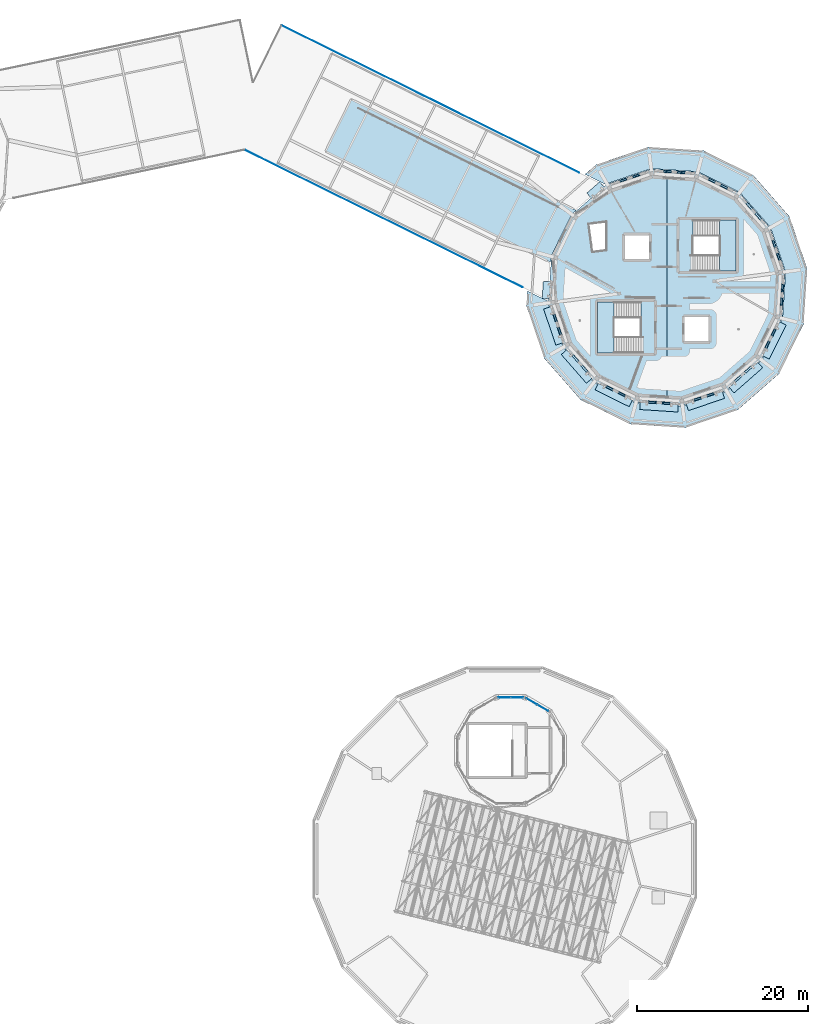
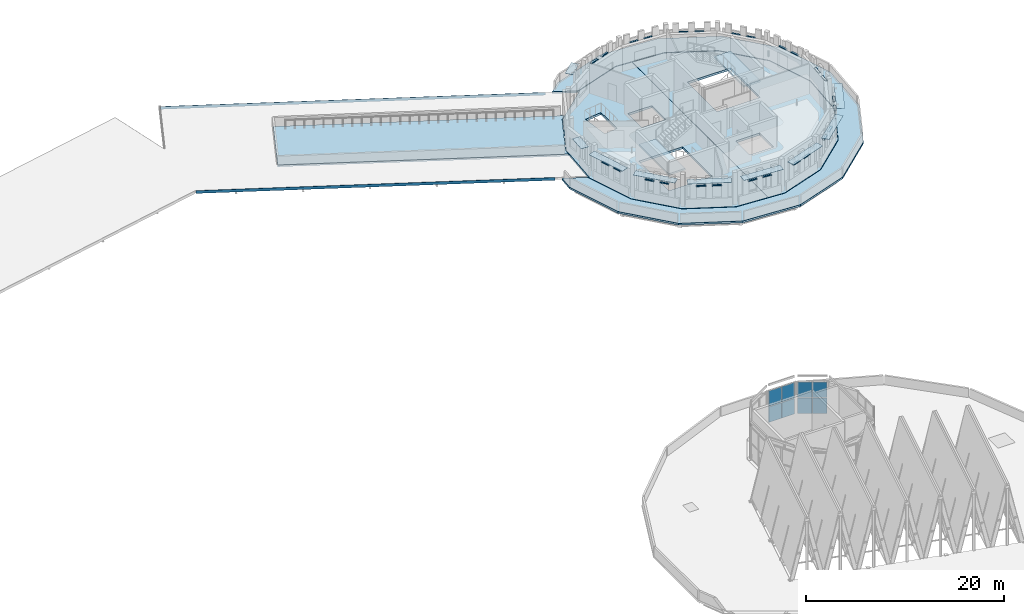
# One storey, part 21 of 51: 45 plates, 6 slabs, 4 elements without a shape of their own.
"""IFC4 building model written with IfcOpenShell, lengths in metres."""

from ifc_helpers import new_model, si_unit, direction, frame, origin, origin_2d, place, context, subcontext, project, spatial, polyline, rectangle, outline, extrude, material, layer, layer_set, type_object, element, aggregate, save


model = new_model("IFC4")

# Units and contexts
model_context = context("Model", 3, precision=1e-05, world=origin(), true_north=direction((0.0, 1.0)))
body_context = subcontext(model_context, "Body", "Model", "MODEL_VIEW")
ifc_project = project(units=[si_unit("LENGTHUNIT", "METRE"), si_unit("AREAUNIT", "SQUARE_METRE"), si_unit("VOLUMEUNIT", "CUBIC_METRE"), si_unit("PLANEANGLEUNIT", "RADIAN"), si_unit("MASSUNIT", "GRAM", prefix="KILO")], contexts=[model_context])

# Site, building, storey
site_placement = place(None, origin())
site = spatial("IfcSite", under=ifc_project, at=site_placement, CompositionType="ELEMENT")
building_placement = place(site_placement, origin())
building = spatial("IfcBuilding", under=site, at=building_placement, Name="Wrenclough Park School", CompositionType="ELEMENT")
storey_placement = place(building_placement, frame((0.0, 0.0, 16.800048828125)))
storey = spatial("IfcBuildingStorey", under=building, at=storey_placement, Name="L04", CompositionType="ELEMENT", Elevation=16.800048828125)

# Curtain wall, plates
ifc_material_1 = material(Name="Thermally broken aluminium and low-e glass curtain wall", Category="aluminium")
curtain_wall_type = type_object("IfcCurtainWallType", Name="ENV-CW-16", PredefinedType="USERDEFINED", material=ifc_material_1)
curtain_wall_1_placement = place(storey_placement, origin())
curtain_wall_1 = element("IfcCurtainWall", 1, at=curtain_wall_1_placement, inside=storey, type_object=curtain_wall_type, Name="D1-SH cylindrical white-glazed stair-head curtain wall 179", ObjectType="CURTAIN WALL", PredefinedType="USERDEFINED")
ifc_material_2 = material(Name="White ceramic-fritted translucent glass", Category="glass")
ifc_layer_1 = layer(ifc_material_2, 0.031982421875)
ifc_layer_set_1 = layer_set([ifc_layer_1], Name="White ceramic-fritted translucent glass")
plate_type_1 = type_object("IfcPlateType", Name="ENV-CWP-WH32", PredefinedType="CURTAIN_PANEL", material=ifc_layer_set_1)
plate_1_placement = place(storey_placement, frame((159.965087890625, 44.20654296875, 0.06005859375), z_axis=(0.0, 0.0, 1.0), x_axis=(-0.866023907196, 0.500002592159, 0.0)))
plate_1 = element("IfcPlate", 2, at=plate_1_placement, type_object=plate_type_1, Name="CW-16 panel 1.1", PredefinedType="CURTAIN_PANEL", context=body_context, shape_type="SweptSolid", body=[
    extrude(rectangle(XDim=1.455078125, YDim=0.031982421875, at=origin_2d()), origin(), (0.0, 0.0, 1.0), 1.909912109375),
])
plate_2_placement = place(storey_placement, frame((159.965087890625, 44.20654296875, 2.02978515625), z_axis=(0.0, 0.0, 1.0), x_axis=(-0.866023907196, 0.500002592159, 0.0)))
plate_2 = element("IfcPlate", 3, at=plate_2_placement, type_object=plate_type_1, Name="CW-16 panel 1.2", PredefinedType="CURTAIN_PANEL", context=body_context, shape_type="SweptSolid", body=[
    extrude(rectangle(XDim=1.455078125, YDim=0.031982421875, at=origin_2d()), origin(), (0.0, 0.0, 1.0), 1.909912109375),
])
plate_3_placement = place(storey_placement, frame((158.653076171875, 44.9638671875, 0.06005859375), z_axis=(0.0, 0.0, 1.0), x_axis=(-0.866023907196, 0.500002592159, 0.0)))
plate_3 = element("IfcPlate", 4, at=plate_3_placement, type_object=plate_type_1, Name="CW-16 panel 2.1", PredefinedType="CURTAIN_PANEL", context=body_context, shape_type="SweptSolid", body=[
    extrude(rectangle(XDim=1.455078125, YDim=0.031982421875, at=origin_2d()), origin(), (0.0, 0.0, 1.0), 1.909912109375),
])
plate_4_placement = place(storey_placement, frame((158.653076171875, 44.9638671875, 2.02978515625), z_axis=(0.0, 0.0, 1.0), x_axis=(-0.866023907196, 0.500002592159, 0.0)))
plate_4 = element("IfcPlate", 5, at=plate_4_placement, type_object=plate_type_1, Name="CW-16 panel 2.2", PredefinedType="CURTAIN_PANEL", context=body_context, shape_type="SweptSolid", body=[
    extrude(rectangle(XDim=1.455078125, YDim=0.031982421875, at=origin_2d()), origin(), (0.0, 0.0, 1.0), 1.909912109375),
])
aggregate(curtain_wall_1, [plate_1, plate_2, plate_3, plate_4])

curtain_wall_2_placement = place(storey_placement, origin())
curtain_wall_2 = element("IfcCurtainWall", 6, at=curtain_wall_2_placement, inside=storey, type_object=curtain_wall_type, Name="D1-SH cylindrical white-glazed stair-head curtain wall 180", ObjectType="CURTAIN WALL", PredefinedType="USERDEFINED")
plate_5_placement = place(storey_placement, frame((156.957275390625, 45.418212890625, 0.06005859375), z_axis=(0.0, 0.0, 1.0), x_axis=(-1.0, 0.0, 0.0)))
plate_5 = element("IfcPlate", 7, at=plate_5_placement, type_object=plate_type_1, Name="CW-16 panel 1.1", PredefinedType="CURTAIN_PANEL", context=body_context, shape_type="SweptSolid", body=[
    extrude(rectangle(XDim=1.454345703125, YDim=0.031982421875, at=origin_2d()), origin(), (0.0, 0.0, 1.0), 1.909912109375),
])
plate_6_placement = place(storey_placement, frame((156.957275390625, 45.418212890625, 2.02978515625), z_axis=(0.0, 0.0, 1.0), x_axis=(-1.0, 0.0, 0.0)))
plate_6 = element("IfcPlate", 8, at=plate_6_placement, type_object=plate_type_1, Name="CW-16 panel 1.2", PredefinedType="CURTAIN_PANEL", context=body_context, shape_type="SweptSolid", body=[
    extrude(rectangle(XDim=1.454345703125, YDim=0.031982421875, at=origin_2d()), origin(), (0.0, 0.0, 1.0), 1.909912109375),
])
plate_7_placement = place(storey_placement, frame((155.44287109375, 45.418212890625, 0.06005859375), z_axis=(0.0, 0.0, 1.0), x_axis=(-1.0, 0.0, 0.0)))
plate_7 = element("IfcPlate", 9, at=plate_7_placement, type_object=plate_type_1, Name="CW-16 panel 2.1", PredefinedType="CURTAIN_PANEL", context=body_context, shape_type="SweptSolid", body=[
    extrude(rectangle(XDim=1.454345703125, YDim=0.031982421875, at=origin_2d()), origin(), (0.0, 0.0, 1.0), 1.909912109375),
])
plate_8_placement = place(storey_placement, frame((155.44287109375, 45.418212890625, 2.02978515625), z_axis=(0.0, 0.0, 1.0), x_axis=(-1.0, 0.0, 0.0)))
plate_8 = element("IfcPlate", 10, at=plate_8_placement, type_object=plate_type_1, Name="CW-16 panel 2.2", PredefinedType="CURTAIN_PANEL", context=body_context, shape_type="SweptSolid", body=[
    extrude(rectangle(XDim=1.454345703125, YDim=0.031982421875, at=origin_2d()), origin(), (0.0, 0.0, 1.0), 1.909912109375),
])
aggregate(curtain_wall_2, [plate_5, plate_6, plate_7, plate_8])

# Plates
ifc_material_3 = material(Name="Anodised architectural aluminium solar shading fin plate", Category="aluminium")
ifc_layer_2 = layer(ifc_material_3, 0.0380859375)
ifc_layer_set_2 = layer_set([ifc_layer_2], Name="Anodised architectural aluminium solar shading fin plate")
plate_type_2 = type_object("IfcPlateType", Name="ENV-PL-BSF", PredefinedType="SHEET", material=ifc_layer_set_2)
for number, where, z_axis, x_axis, name in (
    (11, (187.587158203125, 97.103515625, 2.60595703125), (0.0, 0.0, 1.0), (-0.321420620405, 0.946936526267, 0.0), "D5 L04 open-bond brick screen tie band 0705"),
    (12, (187.076416015625, 98.6083984375, 2.60595703125), (0.0, 0.0, 1.0), (-0.321420620405, 0.946936526267, 0.0), "D5 L04 open-bond brick screen tie band 0706"),
):
    element("IfcPlate", number, at=place(storey_placement, frame(where, z_axis=z_axis, x_axis=x_axis)), inside=storey, type_object=plate_type_2, Name=name, PredefinedType="SHEET", context=body_context, shape_type="SweptSolid", body=[
        extrude(rectangle(XDim=0.97216796875, YDim=0.219970703125, at=origin_2d()), origin(), (0.0, 0.0, 1.0), 0.0419921875),
    ])
for number, where, z_axis, x_axis, name in (
    (13, (185.212158203125, 101.83740234375, 2.60595703125), (0.0, 0.0, 1.0), (-0.659347566765, 0.751838271307, 0.0), "D5 L04 open-bond brick screen tie band 0707"),
    (14, (184.164306640625, 103.032470703125, 2.60595703125), (0.0, 0.0, 1.0), (-0.659347566765, 0.751838271307, 0.0), "D5 L04 open-bond brick screen tie band 0708"),
    (15, (181.2060546875, 105.302001953125, 2.60595703125), (0.0, 0.0, 1.0), (-0.896859245801, 0.442316055804, 0.0), "D5 L04 open-bond brick screen tie band 0709"),
    (16, (179.78076171875, 106.005126953125, 2.60595703125), (0.0, 0.0, 1.0), (-0.896859245801, 0.442316055804, 0.0), "D5 L04 open-bond brick screen tie band 0710"),
    (17, (176.178955078125, 106.97021484375, 2.60595703125), (0.0, 0.0, 1.0), (-0.997859686859, 0.06539147759, 0.0), "D5 L04 open-bond brick screen tie band 0711"),
    (18, (174.593017578125, 107.073974609375, 2.60595703125), (0.0, 0.0, 1.0), (-0.997859686859, 0.06539147759, 0.0), "D5 L04 open-bond brick screen tie band 0712"),
):
    element("IfcPlate", number, at=place(storey_placement, frame(where, z_axis=z_axis, x_axis=x_axis)), inside=storey, type_object=plate_type_2, Name=name, PredefinedType="SHEET", context=body_context, shape_type="SweptSolid", body=[
        extrude(rectangle(XDim=0.971435546875, YDim=0.219970703125, at=origin_2d()), origin(), (0.0, 0.0, 1.0), 0.0419921875),
    ])
for number, where, z_axis, x_axis, name in (
    (19, (170.896484375, 106.587158203125, 2.60595703125), (0.0, 0.0, 1.0), (-0.946936526267, -0.321420620405, 0.0), "D5 L04 open-bond brick screen tie band 0713"),
    (20, (169.3916015625, 106.076416015625, 2.60595703125), (0.0, 0.0, 1.0), (-0.946936526267, -0.321420620405, 0.0), "D5 L04 open-bond brick screen tie band 0714"),
):
    element("IfcPlate", number, at=place(storey_placement, frame(where, z_axis=z_axis, x_axis=x_axis)), inside=storey, type_object=plate_type_2, Name=name, PredefinedType="SHEET", context=body_context, shape_type="SweptSolid", body=[
        extrude(rectangle(XDim=0.97216796875, YDim=0.219970703125, at=origin_2d()), origin(), (0.0, 0.0, 1.0), 0.0419921875),
    ])
plate_9_placement = place(storey_placement, frame((166.1533203125, 104.89208984375, 3.5009765625), z_axis=(0.0, 0.0, 1.0), x_axis=(-0.751826155668, -0.659361381682, 0.0)))
element("IfcPlate", 21, at=plate_9_placement, inside=storey, type_object=plate_type_2, Name="D5 L04 sun-side projecting brise-soleil blade 0135", PredefinedType="SHEET", context=body_context, shape_type="SweptSolid", body=[
    extrude(rectangle(XDim=1.99609375, YDim=0.85009765625, at=origin_2d()), origin(), (0.0, 0.0, 1.0), 0.0380859375),
])
plate_10_placement = place(storey_placement, frame((160.381103515625, 93.19091796875, 3.5009765625), z_axis=(0.0, 0.0, 1.0), x_axis=(-0.065384375386, -0.997860152253, 0.0)))
element("IfcPlate", 22, at=plate_10_placement, inside=storey, type_object=plate_type_2, Name="D5 L04 sun-side projecting brise-soleil blade 0136", PredefinedType="SHEET", context=body_context, shape_type="SweptSolid", body=[
    extrude(rectangle(XDim=2.0048828125, YDim=0.85009765625, at=origin_2d()), origin(), (0.0, 0.0, 1.0), 0.0380859375),
])
for number, where, z_axis, x_axis, name in (
    (23, (161.412841796875, 89.896484375, 2.60595703125), (0.0, 0.0, 1.0), (0.321420620405, -0.946936526267, 0.0), "D5 L04 open-bond brick screen tie band 0717"),
    (24, (161.923583984375, 88.3916015625, 2.60595703125), (0.0, 0.0, 1.0), (0.321420620405, -0.946936526267, 0.0), "D5 L04 open-bond brick screen tie band 0718"),
):
    element("IfcPlate", number, at=place(storey_placement, frame(where, z_axis=z_axis, x_axis=x_axis)), inside=storey, type_object=plate_type_2, Name=name, PredefinedType="SHEET", context=body_context, shape_type="SweptSolid", body=[
        extrude(rectangle(XDim=0.97216796875, YDim=0.219970703125, at=origin_2d()), origin(), (0.0, 0.0, 1.0), 0.0419921875),
    ])
plate_11_placement = place(storey_placement, frame((161.17822265625, 88.977783203125, 3.5009765625), z_axis=(0.0, 0.0, 1.0), x_axis=(0.321420620405, -0.946936526267, 0.0)))
element("IfcPlate", 25, at=plate_11_placement, inside=storey, type_object=plate_type_2, Name="D5 L04 sun-side projecting brise-soleil blade 0137", PredefinedType="SHEET", context=body_context, shape_type="SweptSolid", body=[
    extrude(rectangle(XDim=4.467529296875, YDim=0.85009765625, at=origin_2d()), origin(), (0.0, 0.0, 1.0), 0.0380859375),
])
for number, where, z_axis, x_axis, name in (
    (26, (163.787841796875, 85.16259765625, 2.60595703125), (0.0, 0.0, 1.0), (0.659347566765, -0.751838271307, 0.0), "D5 L04 open-bond brick screen tie band 0719"),
    (27, (164.835693359375, 83.967529296875, 2.60595703125), (0.0, 0.0, 1.0), (0.659347566765, -0.751838271307, 0.0), "D5 L04 open-bond brick screen tie band 0720"),
):
    element("IfcPlate", number, at=place(storey_placement, frame(where, z_axis=z_axis, x_axis=x_axis)), inside=storey, type_object=plate_type_2, Name=name, PredefinedType="SHEET", context=body_context, shape_type="SweptSolid", body=[
        extrude(rectangle(XDim=0.971435546875, YDim=0.219970703125, at=origin_2d()), origin(), (0.0, 0.0, 1.0), 0.0419921875),
    ])
plate_12_placement = place(storey_placement, frame((163.9228515625, 84.223876953125, 3.5009765625), z_axis=(0.0, 0.0, 1.0), x_axis=(0.659347566765, -0.751838271307, 0.0)))
element("IfcPlate", 28, at=plate_12_placement, inside=storey, type_object=plate_type_2, Name="D5 L04 sun-side projecting brise-soleil blade 0138", PredefinedType="SHEET", context=body_context, shape_type="SweptSolid", body=[
    extrude(rectangle(XDim=4.468017578125, YDim=0.85009765625, at=origin_2d()), origin(), (0.0, 0.0, 1.0), 0.0380859375),
])
for number, where, z_axis, x_axis, name in (
    (29, (167.7939453125, 81.697998046875, 2.60595703125), (0.0, 0.0, 1.0), (0.896859245801, -0.442316055804, 0.0), "D5 L04 open-bond brick screen tie band 0721"),
    (30, (169.21923828125, 80.994873046875, 2.60595703125), (0.0, 0.0, 1.0), (0.896859245801, -0.442316055804, 0.0), "D5 L04 open-bond brick screen tie band 0722"),
):
    element("IfcPlate", number, at=place(storey_placement, frame(where, z_axis=z_axis, x_axis=x_axis)), inside=storey, type_object=plate_type_2, Name=name, PredefinedType="SHEET", context=body_context, shape_type="SweptSolid", body=[
        extrude(rectangle(XDim=0.971435546875, YDim=0.219970703125, at=origin_2d()), origin(), (0.0, 0.0, 1.0), 0.0419921875),
    ])
plate_13_placement = place(storey_placement, frame((168.27783203125, 80.88232421875, 3.5009765625), z_axis=(0.0, 0.0, 1.0), x_axis=(0.896859245801, -0.442316055804, 0.0)))
element("IfcPlate", 31, at=plate_13_placement, inside=storey, type_object=plate_type_2, Name="D5 L04 sun-side projecting brise-soleil blade 0139", PredefinedType="SHEET", context=body_context, shape_type="SweptSolid", body=[
    extrude(rectangle(XDim=4.468017578125, YDim=0.85009765625, at=origin_2d()), origin(), (0.0, 0.0, 1.0), 0.0380859375),
])
for number, where, z_axis, x_axis, name in (
    (32, (172.821044921875, 80.02978515625, 2.60595703125), (0.0, 0.0, 1.0), (0.997859686859, -0.06539147759, 0.0), "D5 L04 open-bond brick screen tie band 0723"),
    (33, (174.406982421875, 79.926025390625, 2.60595703125), (0.0, 0.0, 1.0), (0.997859686859, -0.06539147759, 0.0), "D5 L04 open-bond brick screen tie band 0724"),
):
    element("IfcPlate", number, at=place(storey_placement, frame(where, z_axis=z_axis, x_axis=x_axis)), inside=storey, type_object=plate_type_2, Name=name, PredefinedType="SHEET", context=body_context, shape_type="SweptSolid", body=[
        extrude(rectangle(XDim=0.971435546875, YDim=0.219970703125, at=origin_2d()), origin(), (0.0, 0.0, 1.0), 0.0419921875),
    ])
plate_14_placement = place(storey_placement, frame((173.580078125, 79.461669921875, 3.5009765625), z_axis=(0.0, 0.0, 1.0), x_axis=(0.997859686859, -0.06539147759, 0.0)))
element("IfcPlate", 34, at=plate_14_placement, inside=storey, type_object=plate_type_2, Name="D5 L04 sun-side projecting brise-soleil blade 0140", PredefinedType="SHEET", context=body_context, shape_type="SweptSolid", body=[
    extrude(rectangle(XDim=4.46826171875, YDim=0.85009765625, at=origin_2d()), origin(), (0.0, 0.0, 1.0), 0.0380859375),
])
for number, where, z_axis, x_axis, name in (
    (35, (178.103515625, 80.412841796875, 2.60595703125), (0.0, 0.0, 1.0), (0.946936526267, 0.321420620405, 0.0), "D5 L04 open-bond brick screen tie band 0725"),
    (36, (179.6083984375, 80.923583984375, 2.60595703125), (0.0, 0.0, 1.0), (0.946936526267, 0.321420620405, 0.0), "D5 L04 open-bond brick screen tie band 0726"),
):
    element("IfcPlate", number, at=place(storey_placement, frame(where, z_axis=z_axis, x_axis=x_axis)), inside=storey, type_object=plate_type_2, Name=name, PredefinedType="SHEET", context=body_context, shape_type="SweptSolid", body=[
        extrude(rectangle(XDim=0.97216796875, YDim=0.219970703125, at=origin_2d()), origin(), (0.0, 0.0, 1.0), 0.0419921875),
    ])
plate_15_placement = place(storey_placement, frame((179.022216796875, 80.17822265625, 3.5009765625), z_axis=(0.0, 0.0, 1.0), x_axis=(0.946936526267, 0.321420620405, 0.0)))
element("IfcPlate", 37, at=plate_15_placement, inside=storey, type_object=plate_type_2, Name="D5 L04 sun-side projecting brise-soleil blade 0141", PredefinedType="SHEET", context=body_context, shape_type="SweptSolid", body=[
    extrude(rectangle(XDim=4.467529296875, YDim=0.85009765625, at=origin_2d()), origin(), (0.0, 0.0, 1.0), 0.0380859375),
])
for number, where, z_axis, x_axis, name in (
    (38, (182.83740234375, 82.787841796875, 2.60595703125), (0.0, 0.0, 1.0), (0.751838271307, 0.659347566765, 0.0), "D5 L04 open-bond brick screen tie band 0727"),
    (39, (184.032470703125, 83.835693359375, 2.60595703125), (0.0, 0.0, 1.0), (0.751838271307, 0.659347566765, 0.0), "D5 L04 open-bond brick screen tie band 0728"),
):
    element("IfcPlate", number, at=place(storey_placement, frame(where, z_axis=z_axis, x_axis=x_axis)), inside=storey, type_object=plate_type_2, Name=name, PredefinedType="SHEET", context=body_context, shape_type="SweptSolid", body=[
        extrude(rectangle(XDim=0.971435546875, YDim=0.219970703125, at=origin_2d()), origin(), (0.0, 0.0, 1.0), 0.0419921875),
    ])
plate_16_placement = place(storey_placement, frame((183.776123046875, 82.9228515625, 3.5009765625), z_axis=(0.0, 0.0, 1.0), x_axis=(0.751838271307, 0.659347566765, 0.0)))
element("IfcPlate", 40, at=plate_16_placement, inside=storey, type_object=plate_type_2, Name="D5 L04 sun-side projecting brise-soleil blade 0142", PredefinedType="SHEET", context=body_context, shape_type="SweptSolid", body=[
    extrude(rectangle(XDim=4.468017578125, YDim=0.85009765625, at=origin_2d()), origin(), (0.0, 0.0, 1.0), 0.0380859375),
])
for number, where, z_axis, x_axis, name in (
    (41, (186.302001953125, 86.7939453125, 2.60595703125), (0.0, 0.0, 1.0), (0.442316055804, 0.896859245801, 0.0), "D5 L04 open-bond brick screen tie band 0729"),
    (42, (187.005126953125, 88.21923828125, 2.60595703125), (0.0, 0.0, 1.0), (0.442316055804, 0.896859245801, 0.0), "D5 L04 open-bond brick screen tie band 0730"),
):
    element("IfcPlate", number, at=place(storey_placement, frame(where, z_axis=z_axis, x_axis=x_axis)), inside=storey, type_object=plate_type_2, Name=name, PredefinedType="SHEET", context=body_context, shape_type="SweptSolid", body=[
        extrude(rectangle(XDim=0.971435546875, YDim=0.219970703125, at=origin_2d()), origin(), (0.0, 0.0, 1.0), 0.0419921875),
    ])
plate_17_placement = place(storey_placement, frame((187.11767578125, 87.27783203125, 3.5009765625), z_axis=(0.0, 0.0, 1.0), x_axis=(0.442316055804, 0.896859245801, 0.0)))
element("IfcPlate", 43, at=plate_17_placement, inside=storey, type_object=plate_type_2, Name="D5 L04 sun-side projecting brise-soleil blade 0143", PredefinedType="SHEET", context=body_context, shape_type="SweptSolid", body=[
    extrude(rectangle(XDim=4.468017578125, YDim=0.85009765625, at=origin_2d()), origin(), (0.0, 0.0, 1.0), 0.0380859375),
])
for number, where, z_axis, x_axis, name in (
    (44, (187.97021484375, 91.821044921875, 2.60595703125), (0.0, 0.0, 1.0), (0.06539147759, 0.997859686859, 0.0), "D5 L04 open-bond brick screen tie band 0731"),
    (45, (188.073974609375, 93.406982421875, 2.60595703125), (0.0, 0.0, 1.0), (0.06539147759, 0.997859686859, 0.0), "D5 L04 open-bond brick screen tie band 0732"),
):
    element("IfcPlate", number, at=place(storey_placement, frame(where, z_axis=z_axis, x_axis=x_axis)), inside=storey, type_object=plate_type_2, Name=name, PredefinedType="SHEET", context=body_context, shape_type="SweptSolid", body=[
        extrude(rectangle(XDim=0.971435546875, YDim=0.219970703125, at=origin_2d()), origin(), (0.0, 0.0, 1.0), 0.0419921875),
    ])
ifc_material_4 = material(Name="Patinated copper-alloy architectural eave fascia cassette", Category="aluminium")
ifc_layer_3 = layer(ifc_material_4, 0.028076171875)
ifc_layer_set_3 = layer_set([ifc_layer_3], Name="Patinated copper-alloy architectural eave fascia cassette")
plate_type_3 = type_object("IfcPlateType", Name="ENV-PL-FAS", PredefinedType="SHEET", material=ifc_layer_set_3)
plate_18_placement = place(storey_placement, frame((141.31689453125, 101.55810546875, -0.2900390625), z_axis=(0.0, 0.0, 1.0), x_axis=(0.896267291143, -0.443514309609, 0.0)))
element("IfcPlate", 46, at=plate_18_placement, inside=storey, type_object=plate_type_3, Name="Overhanging copper eave fascia plate 021", PredefinedType="SHEET", context=body_context, shape_type="SweptSolid", body=[
    extrude(rectangle(XDim=36.290283203125, YDim=0.028076171875, at=origin_2d()), origin(), (0.0, 0.0, 1.0), 0.340087890625),
])
plate_19_placement = place(storey_placement, frame((146.801513671875, 115.56884765625, -0.2900390625), z_axis=(0.0, 0.0, 1.0), x_axis=(-0.896267315433, 0.443514260522, 0.0)))
element("IfcPlate", 47, at=plate_19_placement, inside=storey, type_object=plate_type_3, Name="Overhanging copper eave fascia plate 022", PredefinedType="SHEET", context=body_context, shape_type="SweptSolid", body=[
    extrude(rectangle(XDim=38.88037109375, YDim=0.028076171875, at=origin_2d()), origin(), (0.0, 0.0, 1.0), 0.340087890625),
])

# Stair, slab
ifc_material_5 = material(Name="Precast concrete C40/50", Category="concrete")
stair_type = type_object("IfcStairType", Name="INT-ST-190-40", PredefinedType="HALF_TURN_STAIR", material=ifc_material_5)
stair_1_placement = place(storey_placement, origin())
stair_1 = element("IfcStair", 48, at=stair_1_placement, inside=storey, type_object=stair_type, Name="L04 escape stair ST-05", PredefinedType="HALF_TURN_STAIR")
ifc_layer_4 = layer(ifc_material_5, 0.195068359375)
ifc_layer_set_4 = layer_set([ifc_layer_4], Name="Precast concrete C40/50")
slab_type_1 = type_object("IfcSlabType", Name="INT-SL-LAND195", PredefinedType="LANDING", material=ifc_layer_set_4)
slab_1_placement = place(storey_placement, frame((0.0, 0.0, 1.885009765625)))
slab_1 = element("IfcSlab", 49, at=slab_1_placement, type_object=slab_type_1, Name="ST-05 landing 1", PredefinedType="LANDING", context=body_context, shape_type="SweptSolid", body=[
    extrude(outline(polyline([(166.39990234375, 85.800048828125), (168.322998046875, 85.800048828125), (168.322998046875, 91.800048828125), (166.39990234375, 91.800048828125), (166.39990234375, 85.800048828125)])), origin(), (0.0, 0.0, 1.0), 0.19482421875),
])
aggregate(stair_1, [slab_1])

stair_2_placement = place(storey_placement, origin())
stair_2 = element("IfcStair", 50, at=stair_2_placement, inside=storey, type_object=stair_type, Name="L04 escape stair ST-06", PredefinedType="HALF_TURN_STAIR")
slab_2_placement = place(storey_placement, frame((0.0, 0.0, 1.885009765625)))
slab_2 = element("IfcSlab", 51, at=slab_2_placement, type_object=slab_type_1, Name="ST-06 landing 1", PredefinedType="LANDING", context=body_context, shape_type="SweptSolid", body=[
    extrude(outline(polyline([(180.677001953125, 95.39990234375), (182.60009765625, 95.39990234375), (182.60009765625, 101.39990234375), (180.677001953125, 101.39990234375), (180.677001953125, 95.39990234375)])), origin(), (0.0, 0.0, 1.0), 0.19482421875),
])
aggregate(stair_2, [slab_2])

# Slabs
ifc_material_6 = material(Name="Concrete C35/45", Category="concrete")
ifc_layer_5 = layer(ifc_material_6, 0.264892578125)
ifc_layer_set_5 = layer_set([ifc_layer_5], Name="Concrete C35/45")
slab_type_2 = type_object("IfcSlabType", Name="STR-SL-FL265", PredefinedType="FLOOR", material=ifc_layer_set_5)
slab_3_placement = place(storey_placement, frame((0.0, 0.0, -0.26513671875)))
element("IfcSlab", 52, at=slab_3_placement, inside=storey, type_object=slab_type_2, Name="D5 L04 structural slab SLAB-D5-L04-W", PredefinedType="FLOOR", context=body_context, shape_type="SweptSolid", body=[
    extrude(outline(polyline([(170.87646484375, 79.97705078125), (174.493896484375, 79.739990234375), (174.493896484375, 107.2607421875), (172.672607421875, 107.380126953125), (167.5, 105.62451171875), (163.39306640625, 102.022705078125), (160.97705078125, 97.12353515625), (160.619873046875, 91.672607421875), (162.37548828125, 86.5), (165.977294921875, 82.39306640625), (170.87646484375, 79.97705078125)]), holes=[polyline([(165.822509765625, 97.704833984375), (167.35009765625, 97.906005859375), (167.35009765625, 101.133544921875), (165.40478515625, 100.87744140625), (165.822509765625, 97.704833984375)]), polyline([(166.39990234375, 85.800048828125), (171.451904296875, 85.800048828125), (171.451904296875, 91.800048828125), (166.39990234375, 91.800048828125), (166.39990234375, 85.800048828125)]), polyline([(169.60009765625, 96.800048828125), (172.39990234375, 96.800048828125), (172.39990234375, 99.60009765625), (169.60009765625, 99.60009765625), (169.60009765625, 96.800048828125)])]), origin(), (0.0, 0.0, 1.0), 0.26513671875),
])
slab_4_placement = place(storey_placement, frame((0.0, 0.0, -0.26513671875)))
element("IfcSlab", 53, at=slab_4_placement, inside=storey, type_object=slab_type_2, Name="D5 L04 structural slab SLAB-D5-L04-E", PredefinedType="FLOOR", context=body_context, shape_type="SweptSolid", body=[
    extrude(outline(polyline([(178.12353515625, 107.02294921875), (174.506103515625, 107.260009765625), (174.506103515625, 79.7392578125), (176.327392578125, 79.619873046875), (181.5, 81.37548828125), (185.60693359375, 84.977294921875), (188.02294921875, 89.87646484375), (188.380126953125, 95.327392578125), (186.62451171875, 100.5), (183.022705078125, 104.60693359375), (178.12353515625, 107.02294921875)]), holes=[polyline([(176.60009765625, 87.199951171875), (179.39990234375, 87.199951171875), (179.39990234375, 90.0), (176.60009765625, 90.0), (176.60009765625, 87.199951171875)]), polyline([(177.548095703125, 95.39990234375), (182.60009765625, 95.39990234375), (182.60009765625, 101.39990234375), (177.548095703125, 101.39990234375), (177.548095703125, 95.39990234375)])]), origin(), (0.0, 0.0, 1.0), 0.26513671875),
])
ifc_layer_6 = layer(ifc_material_6, 0.22998046875)
ifc_layer_set_6 = layer_set([ifc_layer_6], Name="Concrete C35/45")
slab_type_3 = type_object("IfcSlabType", Name="STR-SL-PD230", PredefinedType="FLOOR", material=ifc_layer_set_6)
slab_5_placement = place(storey_placement, frame((0.0, 0.0, -0.22998046875)))
element("IfcSlab", 54, at=slab_5_placement, inside=storey, type_object=slab_type_3, Name="W45 L04 structural slab SLAB-PD-4-L04", PredefinedType="FLOOR", context=body_context, shape_type="SweptSolid", body=[
    extrude(outline(polyline([(134.495361328125, 109.451171875), (160.88134765625, 96.42919921875), (160.93212890625, 97.1455078125), (163.348388671875, 102.044921875), (163.891845703125, 102.526611328125), (137.504638671875, 115.548828125), (134.495361328125, 109.451171875)])), origin(), (0.0, 0.0, 1.0), 0.22998046875),
])
ifc_material_7 = material(Name="Concrete C32/40", Category="concrete")
ifc_layer_7 = layer(ifc_material_7, 0.22509765625)
ifc_layer_set_7 = layer_set([ifc_layer_7], Name="Concrete C32/40")
slab_type_4 = type_object("IfcSlabType", Name="STR-SL-RF225", PredefinedType="ROOF", material=ifc_layer_set_7)
slab_6_placement = place(storey_placement, frame((0.0, 0.0, -0.22509765625)))
element("IfcSlab", 55, at=slab_6_placement, inside=storey, type_object=slab_type_4, Name="D5 L04 structural slab SLAB-D5-STEP-ROOF", PredefinedType="ROOF", context=body_context, shape_type="SweptSolid", body=[
    extrude(outline(polyline([(160.485107421875, 91.939208984375), (158.15673828125, 93.08544921875), (158.0419921875, 91.333251953125), (160.1240234375, 85.199951171875), (164.39453125, 80.330322265625), (170.20361328125, 77.465576171875), (176.666748046875, 77.0419921875), (182.800048828125, 79.1240234375), (187.669677734375, 83.39453125), (190.534423828125, 89.20361328125), (190.9580078125, 95.666748046875), (188.8759765625, 101.800048828125), (184.60546875, 106.669677734375), (178.79638671875, 109.534423828125), (172.333251953125, 109.9580078125), (166.199951171875, 107.8759765625), (164.912109375, 106.74658203125), (167.204345703125, 105.6123046875), (167.487060546875, 105.662353515625), (172.66748046875, 107.419921875), (178.1337890625, 107.0615234375), (183.047119140625, 104.638671875), (186.658935546875, 100.52001953125), (188.420166015625, 95.32470703125), (188.0615234375, 89.8662109375), (185.640869140625, 84.956298828125), (181.512939453125, 81.337646484375), (176.33251953125, 79.580078125), (170.8662109375, 79.9384765625), (165.952880859375, 82.361328125), (162.345458984375, 86.4736328125), (160.581787109375, 91.65966796875), (160.485107421875, 91.939208984375)])), origin(), (0.0, 0.0, 1.0), 0.22509765625),
])

save(model, "model.ifc")
